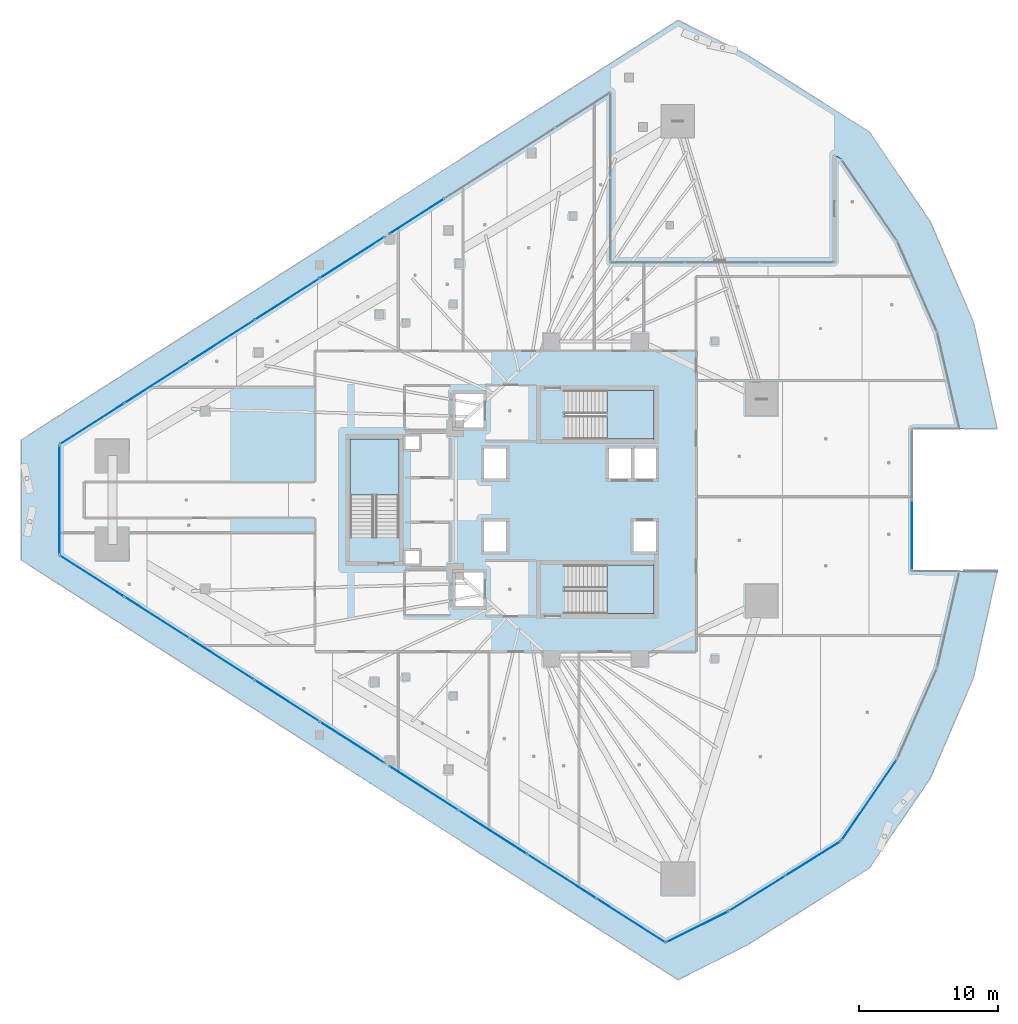
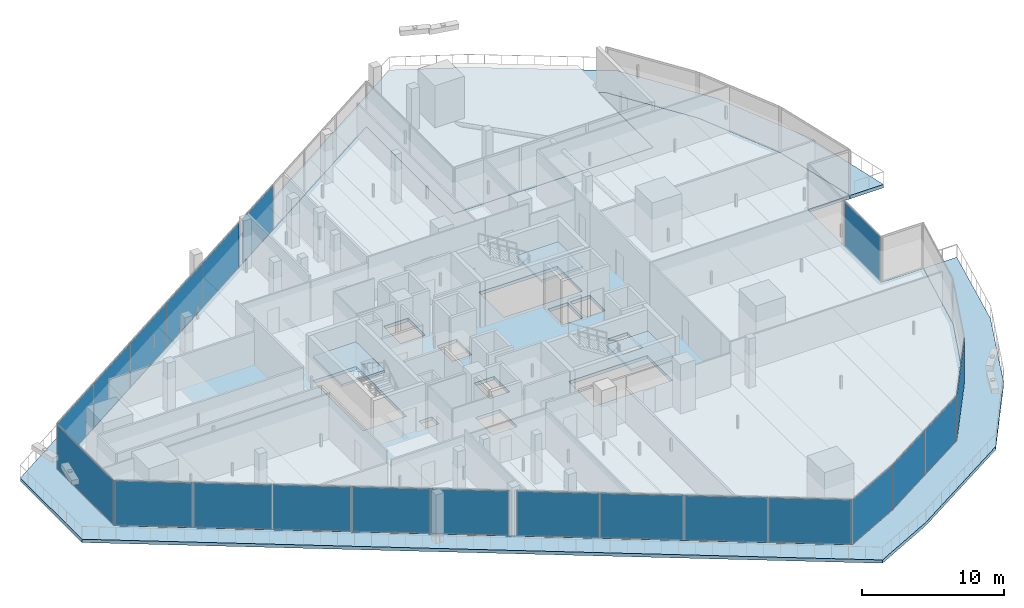
# One storey, part 29 of 47: 21 plates, 5 slabs, 12 elements without a shape of their own.
"""IFC4 building model written with IfcOpenShell, lengths in metres."""

from ifc_helpers import new_model, si_unit, direction, frame, origin, origin_2d, place, context, subcontext, project, spatial, polyline, rectangle, outline, extrude, material, layer, layer_set, type_object, element, aggregate, save


model = new_model("IFC4")

# Units and contexts
model_context = context("Model", 3, precision=1e-05, world=origin(), true_north=direction((0.0, 1.0)))
body_context = subcontext(model_context, "Body", "Model", "MODEL_VIEW")
ifc_project = project(units=[si_unit("LENGTHUNIT", "METRE"), si_unit("AREAUNIT", "SQUARE_METRE"), si_unit("VOLUMEUNIT", "CUBIC_METRE"), si_unit("PLANEANGLEUNIT", "RADIAN"), si_unit("MASSUNIT", "GRAM", prefix="KILO")], contexts=[model_context])

# Site, building, storey
site_placement = place(None, origin())
site = spatial("IfcSite", under=ifc_project, at=site_placement, CompositionType="ELEMENT")
building_placement = place(site_placement, origin())
building = spatial("IfcBuilding", under=site, at=building_placement, Name="Qorvath Tower", CompositionType="ELEMENT")
storey_placement = place(building_placement, frame((0.0, 0.0, 82.800048828125)))
storey = spatial("IfcBuildingStorey", under=building, at=storey_placement, Name="L18", CompositionType="ELEMENT", Elevation=82.800048828125)

# Curtain wall, plate
ifc_material_1 = material(Name="Anodised aluminium and triple low-E glass", Category="aluminium")
ifc_layer_1 = layer(ifc_material_1, 0.179931640625)
ifc_layer_set_1 = layer_set([ifc_layer_1], Name="CW-SYS-5")
curtain_wall_type = type_object("IfcCurtainWallType", Name="CW-SYS-5", PredefinedType="NOTDEFINED", material=ifc_layer_set_1)
curtain_wall_1_placement = place(storey_placement, origin())
curtain_wall_1 = element("IfcCurtainWall", 1, at=curtain_wall_1_placement, inside=storey, type_object=curtain_wall_type, Name="Curtain Wall CW-5 CW-T-L18-4.1", PredefinedType="NOTDEFINED")
ifc_material_2 = material(Name="Low-E triple insulated glass", Category="glass")
ifc_layer_2 = layer(ifc_material_2, 0.031982421875)
ifc_layer_set_2 = layer_set([ifc_layer_2], Name="CWP-GLZ-32")
plate_type = type_object("IfcPlateType", Name="CWP-GLZ-32", PredefinedType="CURTAIN_PANEL", material=ifc_layer_set_2)
plate_1_placement = place(storey_placement, frame((-33.292236328125, 20.485107421875, 0.06494140625), z_axis=(0.0, 0.0, 1.0), x_axis=(-0.84260148157, -0.538537596882, 0.0)))
plate_1 = element("IfcPlate", 2, at=plate_1_placement, type_object=plate_type, Name="CW-5 panel 4.1", PredefinedType="CURTAIN_PANEL", context=body_context, shape_type="SweptSolid", body=[
    extrude(rectangle(XDim=4.625244140625, YDim=0.031982421875, at=origin_2d()), origin(), (0.0, 0.0, 1.0), 3.7900390625),
])
aggregate(curtain_wall_1, [plate_1])

# Curtain wall, plates
curtain_wall_2_placement = place(storey_placement, origin())
curtain_wall_2 = element("IfcCurtainWall", 3, at=curtain_wall_2_placement, inside=storey, type_object=curtain_wall_type, Name="Curtain Wall CW-5 CW-T-L18-4.2", PredefinedType="NOTDEFINED")
plate_2_placement = place(storey_placement, frame((-37.984619140625, 17.486083984375, 0.06494140625), z_axis=(0.0, 0.0, 1.0), x_axis=(-0.842604636726, -0.538532660261, 0.0)))
plate_2 = element("IfcPlate", 4, at=plate_2_placement, type_object=plate_type, Name="CW-5 panel 1.1", PredefinedType="CURTAIN_PANEL", context=body_context, shape_type="SweptSolid", body=[
    extrude(rectangle(XDim=5.458984375, YDim=0.031982421875, at=origin_2d()), origin(), (0.0, 0.0, 1.0), 3.7900390625),
])
plate_3_placement = place(storey_placement, frame((-42.66357421875, 14.49560546875, 0.06494140625), z_axis=(0.0, 0.0, 1.0), x_axis=(-0.842604636726, -0.538532660261, 0.0)))
plate_3 = element("IfcPlate", 5, at=plate_3_placement, type_object=plate_type, Name="CW-5 panel 2.1", PredefinedType="CURTAIN_PANEL", context=body_context, shape_type="SweptSolid", body=[
    extrude(rectangle(XDim=5.49658203125, YDim=0.031982421875, at=origin_2d()), origin(), (0.0, 0.0, 1.0), 3.7900390625),
])
plate_4_placement = place(storey_placement, frame((-47.358154296875, 11.4951171875, 0.06494140625), z_axis=(0.0, 0.0, 1.0), x_axis=(-0.842604636726, -0.538532660261, 0.0)))
plate_4 = element("IfcPlate", 6, at=plate_4_placement, type_object=plate_type, Name="CW-5 panel 3.1", PredefinedType="CURTAIN_PANEL", context=body_context, shape_type="SweptSolid", body=[
    extrude(rectangle(XDim=5.49658203125, YDim=0.031982421875, at=origin_2d()), origin(), (0.0, 0.0, 1.0), 3.7900390625),
])
plate_5_placement = place(storey_placement, frame((-52.052734375, 8.494873046875, 0.06494140625), z_axis=(0.0, 0.0, 1.0), x_axis=(-0.842604636726, -0.538532660261, 0.0)))
plate_5 = element("IfcPlate", 7, at=plate_5_placement, type_object=plate_type, Name="CW-5 panel 4.1", PredefinedType="CURTAIN_PANEL", context=body_context, shape_type="SweptSolid", body=[
    extrude(rectangle(XDim=5.49658203125, YDim=0.031982421875, at=origin_2d()), origin(), (0.0, 0.0, 1.0), 3.7900390625),
])
plate_6_placement = place(storey_placement, frame((-56.7314453125, 5.50439453125, 0.06494140625), z_axis=(0.0, 0.0, 1.0), x_axis=(-0.842604636726, -0.538532660261, 0.0)))
plate_6 = element("IfcPlate", 8, at=plate_6_placement, type_object=plate_type, Name="CW-5 panel 5.1", PredefinedType="CURTAIN_PANEL", context=body_context, shape_type="SweptSolid", body=[
    extrude(rectangle(XDim=5.458984375, YDim=0.031982421875, at=origin_2d()), origin(), (0.0, 0.0, 1.0), 3.7900390625),
])
aggregate(curtain_wall_2, [plate_2, plate_3, plate_4, plate_5, plate_6])

# Curtain wall, plate
curtain_wall_3_placement = place(storey_placement, origin())
curtain_wall_3 = element("IfcCurtainWall", 9, at=curtain_wall_3_placement, inside=storey, type_object=curtain_wall_type, Name="Curtain Wall CW-5 CW-T-L18-5.1", PredefinedType="NOTDEFINED")
plate_7_placement = place(storey_placement, frame((-59.094482421875, 0.0, 0.06494140625), z_axis=(0.0, 0.0, 1.0), x_axis=(0.0, -1.0, 0.0)))
plate_7 = element("IfcPlate", 10, at=plate_7_placement, type_object=plate_type, Name="CW-5 panel 1.1", PredefinedType="CURTAIN_PANEL", context=body_context, shape_type="SweptSolid", body=[
    extrude(rectangle(XDim=7.838134765625, YDim=0.031982421875, at=origin_2d()), origin(), (0.0, 0.0, 1.0), 3.7900390625),
])
aggregate(curtain_wall_3, [plate_7])

# Curtain wall, plates
curtain_wall_4_placement = place(storey_placement, origin())
curtain_wall_4 = element("IfcCurtainWall", 11, at=curtain_wall_4_placement, inside=storey, type_object=curtain_wall_type, Name="Curtain Wall CW-5 CW-T-L18-6.1", PredefinedType="NOTDEFINED")
plate_8_placement = place(storey_placement, frame((-56.7314453125, -5.50439453125, 0.06494140625), z_axis=(0.0, 0.0, 1.0), x_axis=(0.842607894509, -0.538527563, 0.0)))
plate_8 = element("IfcPlate", 12, at=plate_8_placement, type_object=plate_type, Name="CW-5 panel 1.1", PredefinedType="CURTAIN_PANEL", context=body_context, shape_type="SweptSolid", body=[
    extrude(rectangle(XDim=5.458984375, YDim=0.031982421875, at=origin_2d()), origin(), (0.0, 0.0, 1.0), 3.7900390625),
])
plate_9_placement = place(storey_placement, frame((-52.052734375, -8.49462890625, 0.06494140625), z_axis=(0.0, 0.0, 1.0), x_axis=(0.842607894509, -0.538527563, 0.0)))
plate_9 = element("IfcPlate", 13, at=plate_9_placement, type_object=plate_type, Name="CW-5 panel 2.1", PredefinedType="CURTAIN_PANEL", context=body_context, shape_type="SweptSolid", body=[
    extrude(rectangle(XDim=5.49658203125, YDim=0.031982421875, at=origin_2d()), origin(), (0.0, 0.0, 1.0), 3.7900390625),
])
plate_10_placement = place(storey_placement, frame((-47.358154296875, -11.4951171875, 0.06494140625), z_axis=(0.0, 0.0, 1.0), x_axis=(0.842607894509, -0.538527563, 0.0)))
plate_10 = element("IfcPlate", 14, at=plate_10_placement, type_object=plate_type, Name="CW-5 panel 3.1", PredefinedType="CURTAIN_PANEL", context=body_context, shape_type="SweptSolid", body=[
    extrude(rectangle(XDim=5.49658203125, YDim=0.031982421875, at=origin_2d()), origin(), (0.0, 0.0, 1.0), 3.7900390625),
])
plate_11_placement = place(storey_placement, frame((-42.66357421875, -14.49560546875, 0.06494140625), z_axis=(0.0, 0.0, 1.0), x_axis=(0.842607894509, -0.538527563, 0.0)))
plate_11 = element("IfcPlate", 15, at=plate_11_placement, type_object=plate_type, Name="CW-5 panel 4.1", PredefinedType="CURTAIN_PANEL", context=body_context, shape_type="SweptSolid", body=[
    extrude(rectangle(XDim=5.49658203125, YDim=0.031982421875, at=origin_2d()), origin(), (0.0, 0.0, 1.0), 3.7900390625),
])
plate_12_placement = place(storey_placement, frame((-37.984619140625, -17.48583984375, 0.06494140625), z_axis=(0.0, 0.0, 1.0), x_axis=(0.842607894509, -0.538527563, 0.0)))
plate_12 = element("IfcPlate", 16, at=plate_12_placement, type_object=plate_type, Name="CW-5 panel 5.1", PredefinedType="CURTAIN_PANEL", context=body_context, shape_type="SweptSolid", body=[
    extrude(rectangle(XDim=5.458984375, YDim=0.031982421875, at=origin_2d()), origin(), (0.0, 0.0, 1.0), 3.7900390625),
])
aggregate(curtain_wall_4, [plate_8, plate_9, plate_10, plate_11, plate_12])

curtain_wall_5_placement = place(storey_placement, origin())
curtain_wall_5 = element("IfcCurtainWall", 17, at=curtain_wall_5_placement, inside=storey, type_object=curtain_wall_type, Name="Curtain Wall CW-5 CW-T-L18-6.2", PredefinedType="NOTDEFINED")
plate_13_placement = place(storey_placement, frame((-32.793701171875, -20.803466796875, 0.06494140625), z_axis=(0.0, 0.0, 1.0), x_axis=(0.842604132188, -0.538533449676, 0.0)))
plate_13 = element("IfcPlate", 18, at=plate_13_placement, type_object=plate_type, Name="CW-5 panel 1.1", PredefinedType="CURTAIN_PANEL", context=body_context, shape_type="SweptSolid", body=[
    extrude(rectangle(XDim=5.80810546875, YDim=0.031982421875, at=origin_2d()), origin(), (0.0, 0.0, 1.0), 3.7900390625),
])
plate_14_placement = place(storey_placement, frame((-27.82080078125, -23.98193359375, 0.06494140625), z_axis=(0.0, 0.0, 1.0), x_axis=(0.842604132188, -0.538533449676, 0.0)))
plate_14 = element("IfcPlate", 19, at=plate_14_placement, type_object=plate_type, Name="CW-5 panel 2.1", PredefinedType="CURTAIN_PANEL", context=body_context, shape_type="SweptSolid", body=[
    extrude(rectangle(XDim=5.845703125, YDim=0.031982421875, at=origin_2d()), origin(), (0.0, 0.0, 1.0), 3.7900390625),
])
plate_15_placement = place(storey_placement, frame((-22.83203125, -27.17041015625, 0.06494140625), z_axis=(0.0, 0.0, 1.0), x_axis=(0.842604132188, -0.538533449676, 0.0)))
plate_15 = element("IfcPlate", 20, at=plate_15_placement, type_object=plate_type, Name="CW-5 panel 3.1", PredefinedType="CURTAIN_PANEL", context=body_context, shape_type="SweptSolid", body=[
    extrude(rectangle(XDim=5.845703125, YDim=0.031982421875, at=origin_2d()), origin(), (0.0, 0.0, 1.0), 3.7900390625),
])
plate_16_placement = place(storey_placement, frame((-17.859130859375, -30.348876953125, 0.06494140625), z_axis=(0.0, 0.0, 1.0), x_axis=(0.842604132188, -0.538533449676, 0.0)))
plate_16 = element("IfcPlate", 21, at=plate_16_placement, type_object=plate_type, Name="CW-5 panel 4.1", PredefinedType="CURTAIN_PANEL", context=body_context, shape_type="SweptSolid", body=[
    extrude(rectangle(XDim=5.80810546875, YDim=0.031982421875, at=origin_2d()), origin(), (0.0, 0.0, 1.0), 3.7900390625),
])
aggregate(curtain_wall_5, [plate_13, plate_14, plate_15, plate_16])

# Curtain wall, plate
curtain_wall_6_placement = place(storey_placement, origin())
curtain_wall_6 = element("IfcCurtainWall", 22, at=curtain_wall_6_placement, inside=storey, type_object=curtain_wall_type, Name="Curtain Wall CW-5 CW-T-L18-7.1", PredefinedType="NOTDEFINED")
plate_17_placement = place(storey_placement, frame((-13.066650390625, -30.81201171875, 0.06494140625), z_axis=(0.0, 0.0, 1.0), x_axis=(0.894438947507, 0.447190081713, 0.0)))
plate_17 = element("IfcPlate", 23, at=plate_17_placement, type_object=plate_type, Name="CW-5 panel 1.1", PredefinedType="CURTAIN_PANEL", context=body_context, shape_type="SweptSolid", body=[
    extrude(rectangle(XDim=4.953369140625, YDim=0.031982421875, at=origin_2d()), origin(), (0.0, 0.0, 1.0), 3.7900390625),
])
aggregate(curtain_wall_6, [plate_17])

# Curtain wall, plates
curtain_wall_7_placement = place(storey_placement, origin())
curtain_wall_7 = element("IfcCurtainWall", 24, at=curtain_wall_7_placement, inside=storey, type_object=curtain_wall_type, Name="Curtain Wall CW-5 CW-T-L18-8.1", PredefinedType="NOTDEFINED")
plate_18_placement = place(storey_placement, frame((-8.739501953125, -28.394287109375, 0.06494140625), z_axis=(0.0, 0.0, 1.0), x_axis=(0.848231937947, 0.529624942243, 0.0)))
plate_18 = element("IfcPlate", 25, at=plate_18_placement, type_object=plate_type, Name="CW-5 panel 1.1", PredefinedType="CURTAIN_PANEL", context=body_context, shape_type="SweptSolid", body=[
    extrude(rectangle(XDim=4.6708984375, YDim=0.031982421875, at=origin_2d()), origin(), (0.0, 0.0, 1.0), 3.7900390625),
])
plate_19_placement = place(storey_placement, frame((-4.7138671875, -25.880615234375, 0.06494140625), z_axis=(0.0, 0.0, 1.0), x_axis=(0.848231937947, 0.529624942243, 0.0)))
plate_19 = element("IfcPlate", 26, at=plate_19_placement, type_object=plate_type, Name="CW-5 panel 2.1", PredefinedType="CURTAIN_PANEL", context=body_context, shape_type="SweptSolid", body=[
    extrude(rectangle(XDim=4.6708984375, YDim=0.031982421875, at=origin_2d()), origin(), (0.0, 0.0, 1.0), 3.7900390625),
])
aggregate(curtain_wall_7, [plate_18, plate_19])

# Curtain wall, plate
curtain_wall_8_placement = place(storey_placement, origin())
curtain_wall_8 = element("IfcCurtainWall", 27, at=curtain_wall_8_placement, inside=storey, type_object=curtain_wall_type, Name="Curtain Wall CW-5 CW-T-L18-9.1", PredefinedType="NOTDEFINED")
plate_20_placement = place(storey_placement, frame((-0.648193359375, -21.645263671875, 0.06494140625), z_axis=(0.0, 0.0, 1.0), x_axis=(0.564035916259, 0.825750255931, 0.0)))
plate_20 = element("IfcPlate", 28, at=plate_20_placement, type_object=plate_type, Name="CW-5 panel 1.1", PredefinedType="CURTAIN_PANEL", context=body_context, shape_type="SweptSolid", body=[
    extrude(rectangle(XDim=7.01611328125, YDim=0.031982421875, at=origin_2d()), origin(), (0.0, 0.0, 1.0), 3.7900390625),
])
aggregate(curtain_wall_8, [plate_20])

curtain_wall_9_placement = place(storey_placement, origin())
curtain_wall_9 = element("IfcCurtainWall", 29, at=curtain_wall_9_placement, inside=storey, type_object=curtain_wall_type, Name="Curtain Wall CW-5 CW-T-L18-13.1", PredefinedType="NOTDEFINED")
plate_21_placement = place(storey_placement, frame((2.43408203125, -2.5517578125, 0.06494140625), z_axis=(0.0, 0.0, 1.0), x_axis=(0.0, 1.0, 0.0)))
plate_21 = element("IfcPlate", 30, at=plate_21_placement, type_object=plate_type, Name="CW-5 panel 1.1", PredefinedType="CURTAIN_PANEL", context=body_context, shape_type="SweptSolid", body=[
    extrude(rectangle(XDim=5.0283203125, YDim=0.031982421875, at=origin_2d()), origin(), (0.0, 0.0, 1.0), 3.7900390625),
])
aggregate(curtain_wall_9, [plate_21])

# Stair, slab
ifc_material_3 = material(Name="Concrete C50/60", Category="concrete")
stair_type = type_object("IfcStairType", Name="ST-H420", PredefinedType="HALF_TURN_STAIR", material=ifc_material_3)
stair_1_placement = place(storey_placement, origin())
stair_1 = element("IfcStair", 31, at=stair_1_placement, inside=storey, type_object=stair_type, Name="L18 Tower Exit Stair 1", PredefinedType="HALF_TURN_STAIR")
ifc_material_4 = material(Name="Concrete C50/60", Category="concrete")
ifc_layer_3 = layer(ifc_material_4, 0.199951171875)
ifc_layer_set_3 = layer_set([ifc_layer_3], Name="SL-LND-200")
slab_type_1 = type_object("IfcSlabType", Name="SL-LND-200", PredefinedType="LANDING", material=ifc_layer_set_3)
slab_1_placement = place(storey_placement, frame((0.0, 0.0, 1.89990234375)))
slab_1 = element("IfcSlab", 32, at=slab_1_placement, type_object=slab_type_1, Name="TS1 landing 1", PredefinedType="LANDING", context=body_context, shape_type="SweptSolid", body=[
    extrude(outline(polyline([(-19.590087890625, 4.39990234375), (-16.199951171875, 4.39990234375), (-16.199951171875, 7.909912109375), (-19.590087890625, 7.909912109375), (-19.590087890625, 4.39990234375)])), origin(), (0.0, 0.0, 1.0), 0.199951171875),
])
aggregate(stair_1, [slab_1])

stair_2_placement = place(storey_placement, origin())
stair_2 = element("IfcStair", 33, at=stair_2_placement, inside=storey, type_object=stair_type, Name="L18 Tower Exit Stair 2", PredefinedType="HALF_TURN_STAIR")
slab_2_placement = place(storey_placement, frame((0.0, 0.0, 1.89990234375)))
slab_2 = element("IfcSlab", 34, at=slab_2_placement, type_object=slab_type_1, Name="TS2 landing 1", PredefinedType="LANDING", context=body_context, shape_type="SweptSolid", body=[
    extrude(outline(polyline([(-19.590087890625, -8.199951171875), (-16.199951171875, -8.199951171875), (-16.199951171875, -4.68994140625), (-19.590087890625, -4.68994140625), (-19.590087890625, -8.199951171875)])), origin(), (0.0, 0.0, 1.0), 0.199951171875),
])
aggregate(stair_2, [slab_2])

stair_3_placement = place(storey_placement, origin())
stair_3 = element("IfcStair", 35, at=stair_3_placement, inside=storey, type_object=stair_type, Name="L18 Tower Exit Stair 3", PredefinedType="HALF_TURN_STAIR")
slab_3_placement = place(storey_placement, frame((0.0, 0.0, 1.89990234375)))
slab_3 = element("IfcSlab", 36, at=slab_3_placement, type_object=slab_type_1, Name="TS3 landing 1", PredefinedType="LANDING", context=body_context, shape_type="SweptSolid", body=[
    extrude(outline(polyline([(-34.60009765625, 0.360107421875), (-34.60009765625, 4.39990234375), (-38.110107421875, 4.39990234375), (-38.110107421875, 0.360107421875), (-34.60009765625, 0.360107421875)])), origin(), (0.0, 0.0, 1.0), 0.199951171875),
])
aggregate(stair_3, [slab_3])

# Slabs
ifc_material_5 = material(Name="Precast concrete C45/55", Category="concrete")
ifc_layer_4 = layer(ifc_material_5, 0.280029296875)
ifc_layer_set_4 = layer_set([ifc_layer_4], Name="SL-LOG-280")
slab_type_2 = type_object("IfcSlabType", Name="SL-LOG-280", PredefinedType="FLOOR", material=ifc_layer_set_4)
slab_4_placement = place(storey_placement, frame((0.0, 0.0, -0.280029296875)))
element("IfcSlab", 37, at=slab_4_placement, inside=storey, type_object=slab_type_2, Name="Tower L18 Perimeter Loggia and Terrace Slab", PredefinedType="FLOOR", context=body_context, shape_type="SweptSolid", body=[
    extrude(outline(polyline([(5.861328125, -5.140869140625), (4.24951171875, -12.123291015625), (1.372802734375, -18.6865234375), (-2.669189453125, -24.60400390625), (-10.7841796875, -29.6708984375), (-15.348876953125, -31.953125), (-59.094482421875, -3.994140625), (-59.094482421875, 3.994140625), (-19.3359375, 29.405029296875), (-19.3359375, 17.135986328125), (-3.152099609375, 17.135986328125), (-3.152099609375, 24.905517578125), (-2.669189453125, 24.60400390625), (1.372802734375, 18.6865234375), (4.24951171875, 12.123291015625), (5.861328125, 5.140869140625), (8.577392578125, 5.140869140625), (6.876220703125, 12.826904296875), (3.762939453125, 20.057373046875), (-0.652099609375, 26.5751953125), (-9.513671875, 32.1484375), (-14.45947265625, 34.621337890625), (-61.85791015625, 4.32763671875), (-61.85791015625, -4.32763671875), (-14.45947265625, -34.621337890625), (-9.513671875, -32.1484375), (-0.652099609375, -26.5751953125), (3.762939453125, -20.057373046875), (6.876220703125, -12.826904296875), (8.577392578125, -5.140869140625), (5.861328125, -5.140869140625)])), origin(), (0.0, 0.0, 1.0), 0.280029296875),
])
ifc_material_6 = material(Name="Concrete C45/55", Category="concrete")
ifc_layer_5 = layer(ifc_material_6, 0.280029296875)
ifc_layer_set_5 = layer_set([ifc_layer_5], Name="SL-TYP-280")
slab_type_3 = type_object("IfcSlabType", Name="SL-TYP-280", PredefinedType="FLOOR", material=ifc_layer_set_5)
slab_5_placement = place(storey_placement, frame((0.0, 0.0, -0.280029296875)))
element("IfcSlab", 38, at=slab_5_placement, inside=storey, type_object=slab_type_3, Name="Tower L18 Interior Floor Slab", PredefinedType="FLOOR", context=body_context, shape_type="SweptSolid", body=[
    extrude(outline(polyline([(-2.669189453125, 24.60400390625), (-3.152099609375, 24.905517578125), (-3.152099609375, 17.135986328125), (-19.3359375, 17.135986328125), (-19.3359375, 29.405029296875), (-59.094482421875, 3.994140625), (-59.094482421875, -3.994140625), (-15.348876953125, -31.953125), (-10.7841796875, -29.6708984375), (-2.669189453125, -24.60400390625), (1.372802734375, -18.6865234375), (4.24951171875, -12.123291015625), (5.861328125, -5.140869140625), (2.43408203125, -5.140869140625), (2.43408203125, 5.140869140625), (5.861328125, 5.140869140625), (4.24951171875, 12.123291015625), (1.372802734375, 18.6865234375), (-2.669189453125, 24.60400390625)]), holes=[polyline([(-17.64990234375, -3.699951171875), (-17.64990234375, -1.550048828125), (-16.050048828125, -1.550048828125), (-16.050048828125, -3.699951171875), (-17.64990234375, -3.699951171875)]), polyline([(-17.64990234375, 1.550048828125), (-17.64990234375, 3.699951171875), (-16.050048828125, 3.699951171875), (-16.050048828125, 1.550048828125), (-17.64990234375, 1.550048828125)]), polyline([(-16.2451171875, -8.199951171875), (-22.625, -8.199951171875), (-22.625, -4.68994140625), (-16.2451171875, -4.68994140625), (-16.2451171875, -8.199951171875)]), polyline([(-22.625, 4.39990234375), (-22.625, 7.909912109375), (-16.2451171875, 7.909912109375), (-16.2451171875, 4.39990234375), (-22.625, 4.39990234375)]), polyline([(-17.85009765625, 1.550048828125), (-19.449951171875, 1.550048828125), (-19.449951171875, 3.699951171875), (-17.85009765625, 3.699951171875), (-17.85009765625, 1.550048828125)]), polyline([(-28.449951171875, -3.699951171875), (-28.449951171875, -1.550048828125), (-26.85009765625, -1.550048828125), (-26.85009765625, -3.699951171875), (-28.449951171875, -3.699951171875)]), polyline([(-26.85009765625, 1.550048828125), (-28.449951171875, 1.550048828125), (-28.449951171875, 3.699951171875), (-26.85009765625, 3.699951171875), (-26.85009765625, 1.550048828125)]), polyline([(-28.5, -7.64990234375), (-30.5, -7.64990234375), (-30.5, -5.25), (-28.5, -5.25), (-28.5, -7.64990234375)]), polyline([(-30.5, 5.25), (-30.5, 7.64990234375), (-28.5, 7.64990234375), (-28.5, 5.25), (-30.5, 5.25)]), polyline([(-34.14990234375, -4.6201171875), (-34.14990234375, -3.64990234375), (-33.10009765625, -3.64990234375), (-33.10009765625, -4.6201171875), (-34.14990234375, -4.6201171875)]), polyline([(-34.14990234375, 3.64990234375), (-34.14990234375, 4.6201171875), (-33.10009765625, 4.6201171875), (-33.10009765625, 3.64990234375), (-34.14990234375, 3.64990234375)]), polyline([(-34.60009765625, -2.675048828125), (-38.110107421875, -2.675048828125), (-38.110107421875, 4.35498046875), (-34.60009765625, 4.35498046875), (-34.60009765625, -2.675048828125)])]), origin(), (0.0, 0.0, 1.0), 0.280029296875),
])

save(model, "model.ifc")
